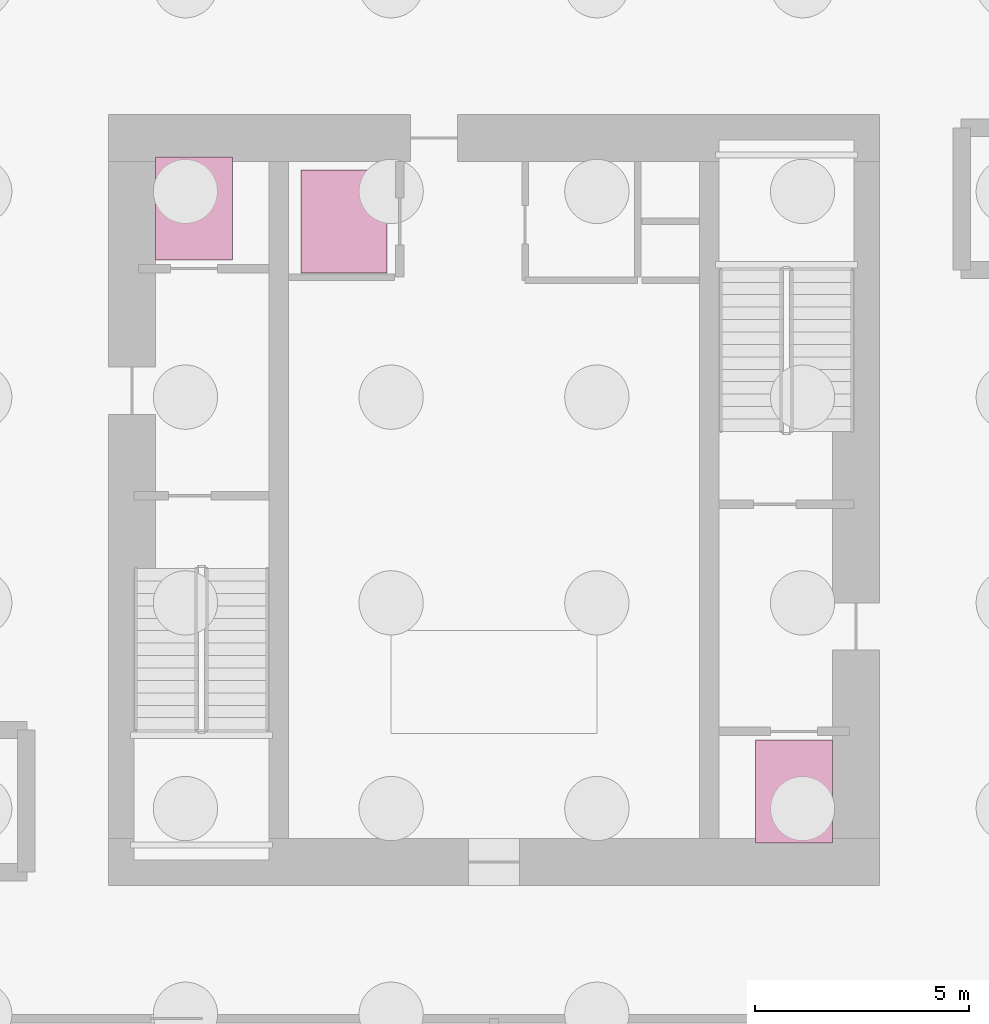
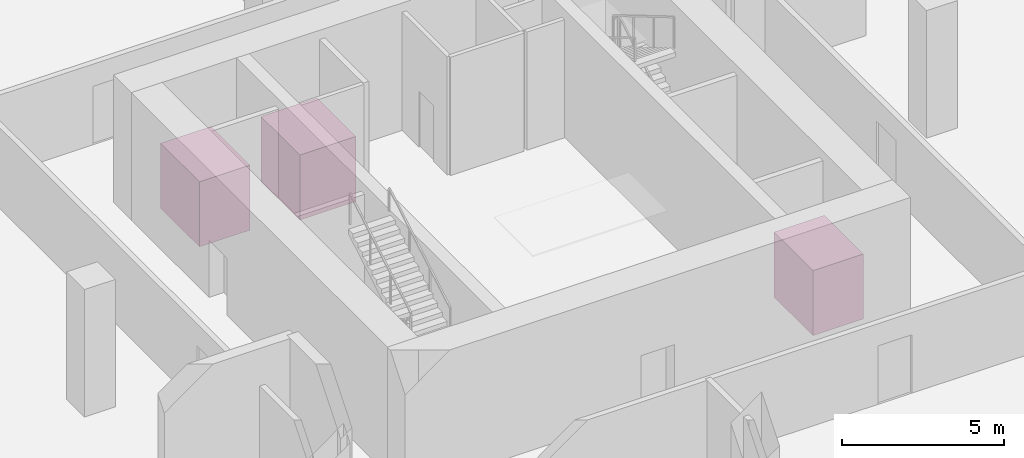
# One storey, part 6 of 6: 3 transport elements.
"""IFC4 building model written with IfcOpenShell, lengths in metres."""

from ifc_helpers import new_model, si_unit, direction, frame, origin, origin_2d, place, context, subcontext, project, spatial, rectangle, extrude, material, type_object, element, save


model = new_model("IFC4")

# Units and contexts
model_context = context("Model", 3, precision=1e-05, world=origin(), true_north=direction((0.0, 1.0)))
body_context = subcontext(model_context, "Body", "Model", "MODEL_VIEW")
ifc_project = project(units=[si_unit("LENGTHUNIT", "METRE"), si_unit("AREAUNIT", "SQUARE_METRE"), si_unit("VOLUMEUNIT", "CUBIC_METRE"), si_unit("PLANEANGLEUNIT", "RADIAN"), si_unit("MASSUNIT", "GRAM", prefix="KILO")], contexts=[model_context])

# Site, building, storey
site_placement = place(None, origin())
site = spatial("IfcSite", under=ifc_project, at=site_placement, CompositionType="ELEMENT")
building_placement = place(site_placement, origin())
building = spatial("IfcBuilding", under=site, at=building_placement, Name="Belovzor Exchange Tower", CompositionType="ELEMENT")
storey_placement = place(building_placement, frame((0.0, 0.0, -9.60009765625)))
storey = spatial("IfcBuildingStorey", under=building, at=storey_placement, Name="B02", CompositionType="ELEMENT", Elevation=-9.60009765625)

# Transport elements
ifc_material_1 = material(Name="Brushed Stainless Steel Cab Assembly", Category="steel")
transport_element_type_1 = type_object("IfcTransportElementType", Name="FFL-01 Firefighting Lift Car 1800x2400", PredefinedType="ELEVATOR", material=ifc_material_1)
transport_element_1_placement = place(storey_placement, frame((21.800048828125, 35.60009765625, 0.0), z_axis=(0.0, 0.0, 1.0), x_axis=(1.0, 0.0, 0.0)))
element("IfcTransportElement", 1, at=transport_element_1_placement, inside=storey, type_object=transport_element_type_1, Name="FFL-01 FFL-01 Firefighting Lift Car 1800x2400", PredefinedType="ELEVATOR", context=body_context, shape_type="SweptSolid", body=[
    extrude(rectangle(XDim=1.800048828125, YDim=2.39990234375, at=origin_2d()), origin(), (0.0, 0.0, 1.0), 2.449951171875),
])
ifc_material_2 = material(Name="Brushed Stainless Steel Cab Assembly", Category="steel")
transport_element_type_2 = type_object("IfcTransportElementType", Name="FFL-02 Firefighting Lift Car 1800x2400", PredefinedType="ELEVATOR", material=ifc_material_2)
transport_element_2_placement = place(storey_placement, frame((35.800048828125, 22.0, 0.0), z_axis=(0.0, 0.0, 1.0), x_axis=(1.0, 0.0, 0.0)))
element("IfcTransportElement", 2, at=transport_element_2_placement, inside=storey, type_object=transport_element_type_2, Name="FFL-02 FFL-02 Firefighting Lift Car 1800x2400", PredefinedType="ELEVATOR", context=body_context, shape_type="SweptSolid", body=[
    extrude(rectangle(XDim=1.800048828125, YDim=2.39990234375, at=origin_2d()), origin(), (0.0, 0.0, 1.0), 2.449951171875),
])
ifc_material_3 = material(Name="Brushed Stainless Steel Cab Assembly", Category="steel")
transport_element_type_3 = type_object("IfcTransportElementType", Name="SL-01 Service Lift Car 2000x2400", PredefinedType="ELEVATOR", material=ifc_material_3)
transport_element_3_placement = place(storey_placement, frame((25.300048828125, 35.300048828125, 0.0), z_axis=(0.0, 0.0, 1.0), x_axis=(1.0, 0.0, 0.0)))
element("IfcTransportElement", 3, at=transport_element_3_placement, inside=storey, type_object=transport_element_type_3, Name="SL-01 SL-01 Service Lift Car 2000x2400", PredefinedType="ELEVATOR", context=body_context, shape_type="SweptSolid", body=[
    extrude(rectangle(XDim=2.0, YDim=2.39990234375, at=origin_2d()), origin(), (0.0, 0.0, 1.0), 2.449951171875),
])

save(model, "model.ifc")
